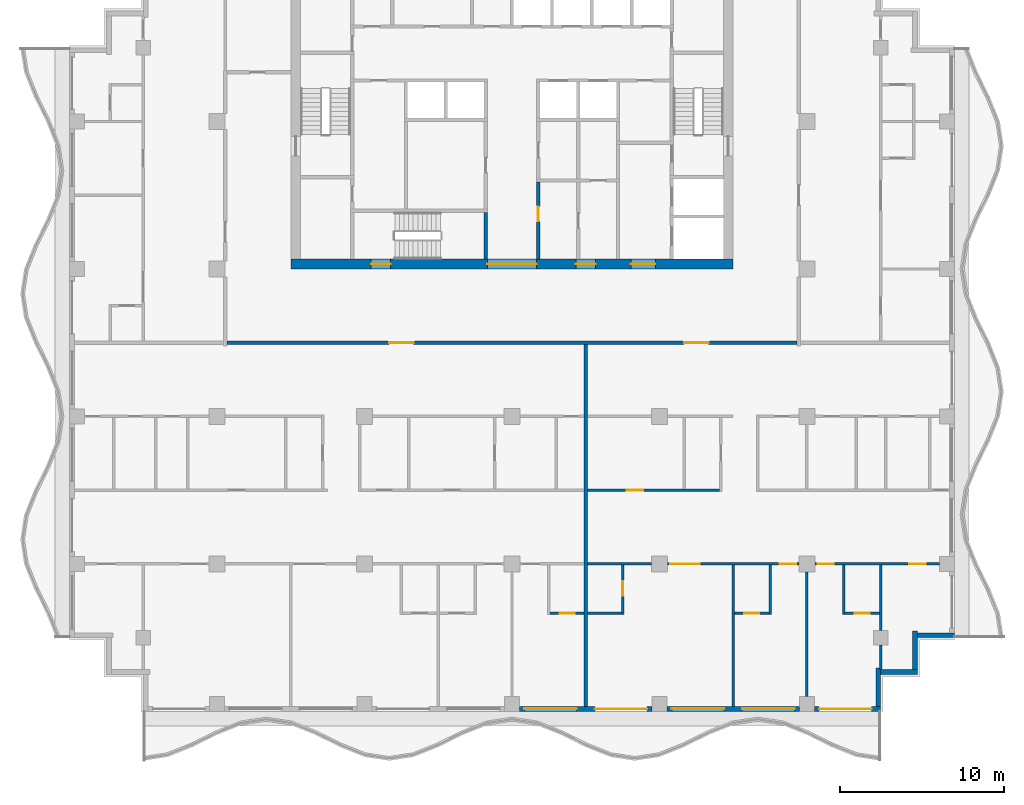
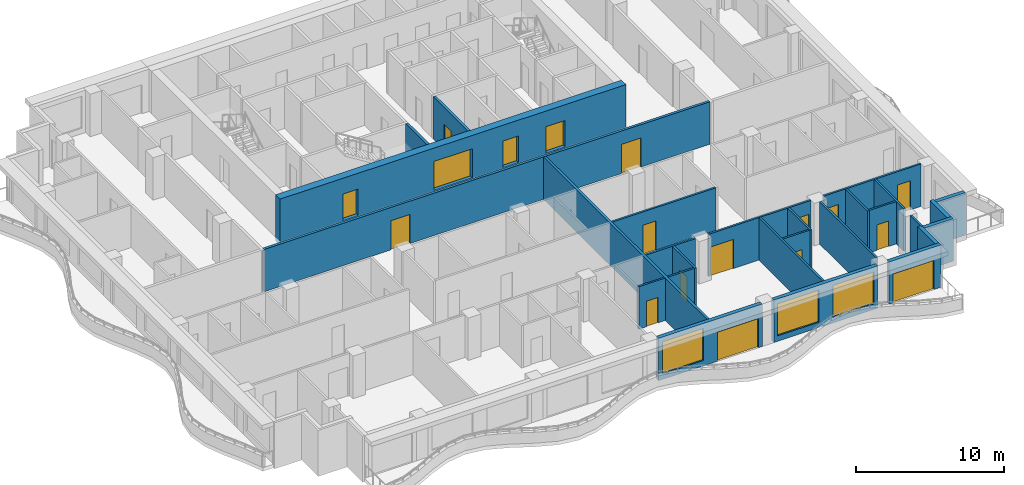
# One storey, part 3 of 11: 27 walls, 18 doors, 3 windows, 21 openings.
"""IFC4 building model written with IfcOpenShell, lengths in metres."""

from ifc_helpers import new_model, si_unit, direction, frame, frame_2d, origin, place, context, subcontext, project, spatial, rectangle, extrude, material, layer, layer_set, type_object, element, fill, save


model = new_model("IFC4")

# Units and contexts
model_context = context("Model", 3, precision=1e-05, world=origin(), true_north=direction((0.0, 1.0)))
body_context = subcontext(model_context, "Body", "Model", "MODEL_VIEW")
ifc_project = project(units=[si_unit("LENGTHUNIT", "METRE"), si_unit("AREAUNIT", "SQUARE_METRE"), si_unit("VOLUMEUNIT", "CUBIC_METRE"), si_unit("PLANEANGLEUNIT", "RADIAN"), si_unit("MASSUNIT", "GRAM", prefix="KILO")], contexts=[model_context])

# Site, building, storey
site_placement = place(None, origin())
site = spatial("IfcSite", under=ifc_project, at=site_placement, CompositionType="ELEMENT")
building_placement = place(site_placement, origin())
building = spatial("IfcBuilding", under=site, at=building_placement, Name="Orbiselva Terraces", CompositionType="ELEMENT")
storey_placement = place(building_placement, frame((0.0, 0.0, 250.2)))
storey = spatial("IfcBuildingStorey", under=building, at=storey_placement, Name="L63", CompositionType="ELEMENT", Elevation=250.2)

# Wall, openings, doors
ifc_material_1 = material(Name="Concrete C80/95", Category="concrete")
ifc_layer_1 = layer(ifc_material_1, 0.6)
ifc_layer_set_1 = layer_set([ifc_layer_1], Name="Concrete C80/95")
wall_type_1 = type_object("IfcWallType", Name="CORE WALL 600", PredefinedType="SHEAR", material=ifc_layer_set_1)
wall_1_placement = place(storey_placement, frame((-13.5, 4.8, -0.3), z_axis=(0.0, 0.0, 1.0), x_axis=(1.0, 0.0, 0.0)))
wall_1 = element("IfcWall", 1, at=wall_1_placement, inside=storey, type_object=wall_type_1, Name="Core wall L63 south", PredefinedType="SHEAR", context=body_context, shape_type="SweptSolid", body=[
    extrude(rectangle(XDim=27.0, YDim=0.6, at=frame_2d((13.5, 0.0))), origin(), (0.0, 0.0, 1.0), 3.8),
])
opening_1_placement = place(wall_1_placement, frame((12.0, 0.0, 0.3)))
opening_1 = element("IfcOpeningElement", 2, at=opening_1_placement, cuts=wall_1, Name="Opening DL3000", PredefinedType="OPENING", context=body_context, shape_type="SweptSolid", body=[
    extrude(rectangle(XDim=3.0, YDim=2.4, at=frame_2d((1.5, 1.2))), frame((0.0, 0.31, 0.0), z_axis=(0.0, -1.0, 0.0), x_axis=(1.0, 0.0, 0.0)), (0.0, 0.0, 1.0), 0.62),
])
opening_2_placement = place(wall_1_placement, frame((4.9, 0.0, 0.3)))
opening_2 = element("IfcOpeningElement", 3, at=opening_2_placement, cuts=wall_1, Name="Opening DS1200", PredefinedType="OPENING", context=body_context, shape_type="SweptSolid", body=[
    extrude(rectangle(XDim=1.2, YDim=2.2, at=frame_2d((0.6, 1.1))), frame((0.0, 0.31, 0.0), z_axis=(0.0, -1.0, 0.0), x_axis=(1.0, 0.0, 0.0)), (0.0, 0.0, 1.0), 0.62),
])
opening_3_placement = place(wall_1_placement, frame((20.75, 0.0, 0.3)))
opening_3 = element("IfcOpeningElement", 4, at=opening_3_placement, cuts=wall_1, Name="Opening DF1500", PredefinedType="OPENING", context=body_context, shape_type="SweptSolid", body=[
    extrude(rectangle(XDim=1.5, YDim=2.2, at=frame_2d((0.75, 1.1))), frame((0.0, 0.31, 0.0), z_axis=(0.0, -1.0, 0.0), x_axis=(1.0, 0.0, 0.0)), (0.0, 0.0, 1.0), 0.62),
])
opening_4_placement = place(wall_1_placement, frame((17.4, 0.0, 0.3)))
opening_4 = element("IfcOpeningElement", 5, at=opening_4_placement, cuts=wall_1, Name="Opening DV1200", PredefinedType="OPENING", context=body_context, shape_type="SweptSolid", body=[
    extrude(rectangle(XDim=1.2, YDim=2.2, at=frame_2d((0.6, 1.1))), frame((0.0, 0.31, 0.0), z_axis=(0.0, -1.0, 0.0), x_axis=(1.0, 0.0, 0.0)), (0.0, 0.0, 1.0), 0.62),
])
ifc_material_2 = material(Name="Steel fire door", Category="steel")
door_type_1 = type_object("IfcDoorType", Name="FFL DOOR 1500", OperationType="DOUBLE_DOOR_SINGLE_SWING", PredefinedType="DOOR", material=ifc_material_2)
door_1_placement = place(opening_3_placement, frame((1.5, 0.0, 0.0), z_axis=(0.0, 0.0, 1.0), x_axis=(-1.0, 0.0, 0.0)))
door_1 = element("IfcDoor", 6, at=door_1_placement, inside=storey, type_object=door_type_1, Name="L63 FIRE-FIGHTING LOBBY door", OperationType="DOUBLE_DOOR_SINGLE_SWING", OverallHeight=2.2, OverallWidth=1.5, PredefinedType="DOOR", context=body_context, shape_type="SweptSolid", body=[
    extrude(rectangle(XDim=1.5, YDim=2.2, at=frame_2d((0.75, 1.1))), frame((0.0, 0.025, 0.0), z_axis=(0.0, -1.0, 0.0), x_axis=(1.0, 0.0, 0.0)), (0.0, 0.0, 1.0), 0.05),
])
fill(opening_3, door_1)
door_type_2 = type_object("IfcDoorType", Name="LOBBY DOOR 3000", OperationType="DOUBLE_DOOR_SINGLE_SWING", PredefinedType="DOOR", material=ifc_material_2)
door_2_placement = place(opening_1_placement, frame((3.0, 0.0, 0.0), z_axis=(0.0, 0.0, 1.0), x_axis=(-1.0, 0.0, 0.0)))
door_2 = element("IfcDoor", 7, at=door_2_placement, inside=storey, type_object=door_type_2, Name="L63 LIFT LOBBY door", OperationType="DOUBLE_DOOR_SINGLE_SWING", OverallHeight=2.4, OverallWidth=3.0, PredefinedType="DOOR", context=body_context, shape_type="SweptSolid", body=[
    extrude(rectangle(XDim=3.0, YDim=2.4, at=frame_2d((1.5, 1.2))), frame((0.0, 0.025, 0.0), z_axis=(0.0, -1.0, 0.0), x_axis=(1.0, 0.0, 0.0)), (0.0, 0.0, 1.0), 0.05),
])
fill(opening_1, door_2)
door_type_3 = type_object("IfcDoorType", Name="SERVICE DOOR 1200", OperationType="NOTDEFINED", PredefinedType="DOOR", material=ifc_material_2)
door_3_placement = place(opening_4_placement, frame((1.2, 0.0, 0.0), z_axis=(0.0, 0.0, 1.0), x_axis=(-1.0, 0.0, 0.0)))
door_3 = element("IfcDoor", 8, at=door_3_placement, inside=storey, type_object=door_type_3, Name="L63 SPARE PARTS STORE door", OperationType="SINGLE_SWING_RIGHT", OverallHeight=2.2, OverallWidth=1.2, PredefinedType="DOOR", context=body_context, shape_type="SweptSolid", body=[
    extrude(rectangle(XDim=1.2, YDim=2.2, at=frame_2d((0.6, 1.1))), frame((0.0, 0.025, 0.0), z_axis=(0.0, -1.0, 0.0), x_axis=(1.0, 0.0, 0.0)), (0.0, 0.0, 1.0), 0.05),
])
fill(opening_4, door_3)
door_type_4 = type_object("IfcDoorType", Name="STAIR DOOR 1200", OperationType="NOTDEFINED", PredefinedType="DOOR", material=ifc_material_2)
door_4_placement = place(opening_2_placement, frame((1.2, 0.0, 0.0), z_axis=(0.0, 0.0, 1.0), x_axis=(-1.0, 0.0, 0.0)))
door_4 = element("IfcDoor", 9, at=door_4_placement, inside=storey, type_object=door_type_4, Name="L63 EXIT STAIR S3 door", OperationType="SINGLE_SWING_LEFT", OverallHeight=2.2, OverallWidth=1.2, PredefinedType="DOOR", context=body_context, shape_type="SweptSolid", body=[
    extrude(rectangle(XDim=1.2, YDim=2.2, at=frame_2d((0.6, 1.1))), frame((0.0, 0.025, 0.0), z_axis=(0.0, -1.0, 0.0), x_axis=(1.0, 0.0, 0.0)), (0.0, 0.0, 1.0), 0.05),
])
fill(opening_2, door_4)

# Wall
ifc_material_3 = material(Name="Concrete C60/75", Category="concrete")
ifc_layer_2 = layer(ifc_material_3, 0.2)
ifc_layer_set_2 = layer_set([ifc_layer_2], Name="Concrete C60/75")
wall_type_2 = type_object("IfcWallType", Name="CORE-WALL-SHEAR-200", PredefinedType="SHEAR", material=ifc_layer_set_2)
wall_2_placement = place(storey_placement, frame((-1.6, 5.1, 0.0), z_axis=(0.0, 0.0, 1.0), x_axis=(0.0, 1.0, 0.0)))
element("IfcWall", 10, at=wall_2_placement, inside=storey, type_object=wall_type_2, Name="L63 core wall 18", PredefinedType="SHEAR", context=body_context, shape_type="SweptSolid", body=[
    extrude(rectangle(XDim=2.85, YDim=0.2, at=frame_2d((1.425, 0.0))), origin(), (0.0, 0.0, 1.0), 3.5),
])

# Wall, opening, door
wall_3_placement = place(storey_placement, frame((1.6, 9.8, 0.0), z_axis=(0.0, 0.0, 1.0), x_axis=(0.0, -1.0, 0.0)))
wall_3 = element("IfcWall", 11, at=wall_3_placement, inside=storey, type_object=wall_type_2, Name="L63 core wall 22", PredefinedType="SHEAR", context=body_context, shape_type="SweptSolid", body=[
    extrude(rectangle(XDim=4.7, YDim=0.2, at=frame_2d((2.35, 0.0))), origin(), (0.0, 0.0, 1.0), 3.5),
])
opening_5_placement = place(wall_3_placement, frame((1.5, 0.0, 0.0)))
opening_5 = element("IfcOpeningElement", 12, at=opening_5_placement, cuts=wall_3, Name="Opening DR900", PredefinedType="OPENING", context=body_context, shape_type="SweptSolid", body=[
    extrude(rectangle(XDim=0.9, YDim=2.1, at=frame_2d((0.45, 1.05))), frame((0.0, 0.11, 0.0), z_axis=(0.0, -1.0, 0.0), x_axis=(1.0, 0.0, 0.0)), (0.0, 0.0, 1.0), 0.22),
])
door_type_5 = type_object("IfcDoorType", Name="ROOM DOOR 900", OperationType="NOTDEFINED", PredefinedType="DOOR", material=ifc_material_2)
door_5_placement = place(opening_5_placement, origin())
door_5 = element("IfcDoor", 13, at=door_5_placement, inside=storey, type_object=door_type_5, Name="L63 ELECTRICAL ROOM door", OperationType="SINGLE_SWING_LEFT", OverallHeight=2.1, OverallWidth=0.9, PredefinedType="DOOR", context=body_context, shape_type="SweptSolid", body=[
    extrude(rectangle(XDim=0.9, YDim=2.1, at=frame_2d((0.45, 1.05))), frame((0.0, 0.025, 0.0), z_axis=(0.0, -1.0, 0.0), x_axis=(1.0, 0.0, 0.0)), (0.0, 0.0, 1.0), 0.05),
])
fill(opening_5, door_5)

# Wall, openings, door, window
ifc_material_4 = material(Name="Terracotta cladding on masonry backing", Category="masonry")
ifc_layer_3 = layer(ifc_material_4, 0.3)
ifc_layer_set_3 = layer_set([ifc_layer_3], Name="Terracotta cladding on masonry backing")
wall_type_3 = type_object("IfcWallType", Name="ENV-WALL-TERRACOTTA-300", PredefinedType="SOLIDWALL", material=ifc_layer_set_3)
wall_4_placement = place(storey_placement, frame((8.55, -22.35, 0.0), z_axis=(0.0, 0.0, 1.0), x_axis=(-1.0, 0.0, 0.0)))
wall_4 = element("IfcWall", 14, at=wall_4_placement, inside=storey, type_object=wall_type_3, Name="Facade wall L63 S", PredefinedType="SOLIDWALL", context=body_context, shape_type="SweptSolid", body=[
    extrude(rectangle(XDim=8.1, YDim=0.3, at=frame_2d((4.05, 0.0))), origin(), (0.0, 0.0, 1.0), 3.5),
])
opening_6_placement = place(wall_4_placement, frame((4.6, 0.0, 0.45)))
opening_6 = element("IfcOpeningElement", 15, at=opening_6_placement, cuts=wall_4, Name="Opening WN17", PredefinedType="OPENING", context=body_context, shape_type="SweptSolid", body=[
    extrude(rectangle(XDim=3.2, YDim=2.65, at=frame_2d((1.6, 1.325))), frame((0.0, 0.16, 0.0), z_axis=(0.0, -1.0, 0.0), x_axis=(1.0, 0.0, 0.0)), (0.0, 0.0, 1.0), 0.32),
])
opening_7_placement = place(wall_4_placement, frame((0.3, 0.0, 0.0)))
opening_7 = element("IfcOpeningElement", 16, at=opening_7_placement, cuts=wall_4, Name="Opening Z5-B-E03", PredefinedType="OPENING", context=body_context, shape_type="SweptSolid", body=[
    extrude(rectangle(XDim=3.2, YDim=2.4, at=frame_2d((1.6, 1.2))), frame((0.0, 0.16, 0.0), z_axis=(0.0, -1.0, 0.0), x_axis=(1.0, 0.0, 0.0)), (0.0, 0.0, 1.0), 0.32),
])
ifc_material_5 = material(Name="Clear low-e glazing in aluminium frame", Category="aluminium")
door_type_6 = type_object("IfcDoorType", Name="BALCONY DOOR 3200 X 2400", OperationType="DOUBLE_DOOR_SLIDING", PredefinedType="DOOR", material=ifc_material_5)
door_6_placement = place(opening_7_placement, origin())
door_6 = element("IfcDoor", 17, at=door_6_placement, inside=storey, type_object=door_type_6, Name="Z5-B-E03", OperationType="SINGLE_SWING_LEFT", OverallHeight=2.4, OverallWidth=3.2, PredefinedType="DOOR", context=body_context, shape_type="SweptSolid", body=[
    extrude(rectangle(XDim=3.2, YDim=2.4, at=frame_2d((1.6, 1.2))), frame((0.0, 0.025, 0.0), z_axis=(0.0, -1.0, 0.0), x_axis=(1.0, 0.0, 0.0)), (0.0, 0.0, 1.0), 0.05),
])
fill(opening_7, door_6)
window_type = type_object("IfcWindowType", Name="WINDOW 3200 X 2650 S450", PartitioningType="TRIPLE_PANEL_VERTICAL", PredefinedType="WINDOW", material=ifc_material_5)
window_1_placement = place(opening_6_placement, origin())
window_1 = element("IfcWindow", 18, at=window_1_placement, inside=storey, type_object=window_type, Name="Window L63 S", OverallHeight=2.65, OverallWidth=3.2, PartitioningType="SINGLE_PANEL", PredefinedType="WINDOW", context=body_context, shape_type="SweptSolid", body=[
    extrude(rectangle(XDim=3.2, YDim=2.65, at=frame_2d((1.6, 1.325))), frame((0.0, 0.03, 0.0), z_axis=(0.0, -1.0, 0.0), x_axis=(1.0, 0.0, 0.0)), (0.0, 0.0, 1.0), 0.06),
])
fill(opening_6, window_1)

# Wall, openings, windows
wall_5_placement = place(storey_placement, frame((17.55, -22.35, 0.0), z_axis=(0.0, 0.0, 1.0), x_axis=(-1.0, 0.0, 0.0)))
wall_5 = element("IfcWall", 19, at=wall_5_placement, inside=storey, type_object=wall_type_3, Name="Facade wall L63 S", PredefinedType="SOLIDWALL", context=body_context, shape_type="SweptSolid", body=[
    extrude(rectangle(XDim=8.1, YDim=0.3, at=frame_2d((4.05, 0.0))), origin(), (0.0, 0.0, 1.0), 3.5),
])
opening_8_placement = place(wall_5_placement, frame((4.6, 0.0, 0.45)))
opening_8 = element("IfcOpeningElement", 20, at=opening_8_placement, cuts=wall_5, Name="Opening WN17", PredefinedType="OPENING", context=body_context, shape_type="SweptSolid", body=[
    extrude(rectangle(XDim=3.2, YDim=2.65, at=frame_2d((1.6, 1.325))), frame((0.0, 0.16, 0.0), z_axis=(0.0, -1.0, 0.0), x_axis=(1.0, 0.0, 0.0)), (0.0, 0.0, 1.0), 0.32),
])
opening_9_placement = place(wall_5_placement, frame((0.3, 0.0, 0.45)))
opening_9 = element("IfcOpeningElement", 21, at=opening_9_placement, cuts=wall_5, Name="Opening WN17", PredefinedType="OPENING", context=body_context, shape_type="SweptSolid", body=[
    extrude(rectangle(XDim=3.2, YDim=2.65, at=frame_2d((1.6, 1.325))), frame((0.0, 0.16, 0.0), z_axis=(0.0, -1.0, 0.0), x_axis=(1.0, 0.0, 0.0)), (0.0, 0.0, 1.0), 0.32),
])
window_2_placement = place(opening_8_placement, origin())
window_2 = element("IfcWindow", 22, at=window_2_placement, inside=storey, type_object=window_type, Name="Window L63 S", OverallHeight=2.65, OverallWidth=3.2, PartitioningType="SINGLE_PANEL", PredefinedType="WINDOW", context=body_context, shape_type="SweptSolid", body=[
    extrude(rectangle(XDim=3.2, YDim=2.65, at=frame_2d((1.6, 1.325))), frame((0.0, 0.03, 0.0), z_axis=(0.0, -1.0, 0.0), x_axis=(1.0, 0.0, 0.0)), (0.0, 0.0, 1.0), 0.06),
])
fill(opening_8, window_2)
window_3_placement = place(opening_9_placement, origin())
window_3 = element("IfcWindow", 23, at=window_3_placement, inside=storey, type_object=window_type, Name="Window L63 S", OverallHeight=2.65, OverallWidth=3.2, PartitioningType="SINGLE_PANEL", PredefinedType="WINDOW", context=body_context, shape_type="SweptSolid", body=[
    extrude(rectangle(XDim=3.2, YDim=2.65, at=frame_2d((1.6, 1.325))), frame((0.0, 0.03, 0.0), z_axis=(0.0, -1.0, 0.0), x_axis=(1.0, 0.0, 0.0)), (0.0, 0.0, 1.0), 0.06),
])
fill(opening_9, window_3)

# Wall, opening, door
wall_6_placement = place(storey_placement, frame((22.5, -22.35, 0.0), z_axis=(0.0, 0.0, 1.0), x_axis=(-1.0, 0.0, 0.0)))
wall_6 = element("IfcWall", 24, at=wall_6_placement, inside=storey, type_object=wall_type_3, Name="Facade wall L63 S", PredefinedType="SOLIDWALL", context=body_context, shape_type="SweptSolid", body=[
    extrude(rectangle(XDim=4.05, YDim=0.3, at=frame_2d((2.025, 0.0))), origin(), (0.0, 0.0, 1.0), 3.5),
])
opening_10_placement = place(wall_6_placement, frame((0.55, 0.0, 0.0)))
opening_10 = element("IfcOpeningElement", 25, at=opening_10_placement, cuts=wall_6, Name="Opening Z5-B-E04", PredefinedType="OPENING", context=body_context, shape_type="SweptSolid", body=[
    extrude(rectangle(XDim=3.2, YDim=2.4, at=frame_2d((1.6, 1.2))), frame((0.0, 0.16, 0.0), z_axis=(0.0, -1.0, 0.0), x_axis=(1.0, 0.0, 0.0)), (0.0, 0.0, 1.0), 0.32),
])
door_7_placement = place(opening_10_placement, origin())
door_7 = element("IfcDoor", 26, at=door_7_placement, inside=storey, type_object=door_type_6, Name="Z5-B-E04", OperationType="SINGLE_SWING_LEFT", OverallHeight=2.4, OverallWidth=3.2, PredefinedType="DOOR", context=body_context, shape_type="SweptSolid", body=[
    extrude(rectangle(XDim=3.2, YDim=2.4, at=frame_2d((1.6, 1.2))), frame((0.0, 0.025, 0.0), z_axis=(0.0, -1.0, 0.0), x_axis=(1.0, 0.0, 0.0)), (0.0, 0.0, 1.0), 0.05),
])
fill(opening_10, door_7)

# Walls
wall_7_placement = place(storey_placement, frame((22.35, -19.85, 0.0), z_axis=(0.0, 0.0, 1.0), x_axis=(0.0, -1.0, 0.0)))
element("IfcWall", 27, at=wall_7_placement, inside=storey, type_object=wall_type_3, Name="Facade wall L63 STEP", PredefinedType="SOLIDWALL", context=body_context, shape_type="SweptSolid", body=[
    extrude(rectangle(XDim=2.35, YDim=0.3, at=frame_2d((1.175, 0.0))), origin(), (0.0, 0.0, 1.0), 3.5),
])
wall_8_placement = place(storey_placement, frame((24.75, -20.1, 0.0), z_axis=(0.0, 0.0, 1.0), x_axis=(-1.0, 0.0, 0.0)))
element("IfcWall", 28, at=wall_8_placement, inside=storey, type_object=wall_type_3, Name="Facade wall L63 STEP", PredefinedType="SOLIDWALL", context=body_context, shape_type="SweptSolid", body=[
    extrude(rectangle(XDim=2.25, YDim=0.3, at=frame_2d((1.125, 0.0))), origin(), (0.0, 0.0, 1.0), 3.5),
])
wall_9_placement = place(storey_placement, frame((24.6, -17.6, 0.0), z_axis=(0.0, 0.0, 1.0), x_axis=(0.0, -1.0, 0.0)))
element("IfcWall", 29, at=wall_9_placement, inside=storey, type_object=wall_type_3, Name="Facade wall L63 STEP", PredefinedType="SOLIDWALL", context=body_context, shape_type="SweptSolid", body=[
    extrude(rectangle(XDim=2.35, YDim=0.3, at=frame_2d((1.175, 0.0))), origin(), (0.0, 0.0, 1.0), 3.5),
])
wall_10_placement = place(storey_placement, frame((27.0, -17.85, 0.0), z_axis=(0.0, 0.0, 1.0), x_axis=(-1.0, 0.0, 0.0)))
element("IfcWall", 30, at=wall_10_placement, inside=storey, type_object=wall_type_3, Name="Facade wall L63 STEP", PredefinedType="SOLIDWALL", context=body_context, shape_type="SweptSolid", body=[
    extrude(rectangle(XDim=2.25, YDim=0.3, at=frame_2d((1.125, 0.0))), origin(), (0.0, 0.0, 1.0), 3.5),
])

# Wall, openings, doors
ifc_material_6 = material(Name="Plasterboard on steel stud partition", Category="steel")
ifc_layer_4 = layer(ifc_material_6, 0.2)
ifc_layer_set_4 = layer_set([ifc_layer_4], Name="Plasterboard on steel stud partition")
wall_type_4 = type_object("IfcWallType", Name="UNIT-ENTRANCE-WALL-200", PredefinedType="PARTITIONING", material=ifc_layer_set_4)
wall_11_placement = place(storey_placement, frame((17.4, 0.0, 0.0), z_axis=(0.0, 0.0, 1.0), x_axis=(-1.0, 0.0, 0.0)))
wall_11 = element("IfcWall", 31, at=wall_11_placement, inside=storey, type_object=wall_type_4, Name="PARTITION L63-026", PredefinedType="PARTITIONING", context=body_context, shape_type="SweptSolid", body=[
    extrude(rectangle(XDim=34.8, YDim=0.2, at=frame_2d((17.4, 0.0))), origin(), (0.0, 0.0, 1.0), 3.5),
])
opening_11_placement = place(wall_11_placement, frame((23.4, 0.0, 0.0)))
opening_11 = element("IfcOpeningElement", 32, at=opening_11_placement, cuts=wall_11, Name="Opening Z5-B-14", PredefinedType="OPENING", context=body_context, shape_type="SweptSolid", body=[
    extrude(rectangle(XDim=1.5, YDim=2.4, at=frame_2d((0.75, 1.2))), frame((0.0, 0.11, 0.0), z_axis=(0.0, -1.0, 0.0), x_axis=(1.0, 0.0, 0.0)), (0.0, 0.0, 1.0), 0.22),
])
opening_12_placement = place(wall_11_placement, frame((5.4, 0.0, 0.0)))
opening_12 = element("IfcOpeningElement", 33, at=opening_12_placement, cuts=wall_11, Name="Opening Z5-B-32", PredefinedType="OPENING", context=body_context, shape_type="SweptSolid", body=[
    extrude(rectangle(XDim=1.5, YDim=2.4, at=frame_2d((0.75, 1.2))), frame((0.0, 0.11, 0.0), z_axis=(0.0, -1.0, 0.0), x_axis=(1.0, 0.0, 0.0)), (0.0, 0.0, 1.0), 0.22),
])
ifc_material_7 = material(Name="Painted timber door leaf", Category="wood")
door_type_7 = type_object("IfcDoorType", Name="ENTRANCE DOUBLE DOOR 1500", OperationType="NOTDEFINED", PredefinedType="DOOR", material=ifc_material_7)
door_8_placement = place(opening_11_placement, origin())
door_8 = element("IfcDoor", 34, at=door_8_placement, inside=storey, type_object=door_type_7, Name="Z5-B-14", OperationType="DOUBLE_DOOR_SINGLE_SWING", OverallHeight=2.4, OverallWidth=1.5, PredefinedType="DOOR", context=body_context, shape_type="SweptSolid", body=[
    extrude(rectangle(XDim=1.5, YDim=2.4, at=frame_2d((0.75, 1.2))), frame((0.0, 0.025, 0.0), z_axis=(0.0, -1.0, 0.0), x_axis=(1.0, 0.0, 0.0)), (0.0, 0.0, 1.0), 0.05),
])
fill(opening_11, door_8)
door_9_placement = place(opening_12_placement, origin())
door_9 = element("IfcDoor", 35, at=door_9_placement, inside=storey, type_object=door_type_7, Name="Z5-B-32", OperationType="DOUBLE_DOOR_SINGLE_SWING", OverallHeight=2.4, OverallWidth=1.5, PredefinedType="DOOR", context=body_context, shape_type="SweptSolid", body=[
    extrude(rectangle(XDim=1.5, YDim=2.4, at=frame_2d((0.75, 1.2))), frame((0.0, 0.025, 0.0), z_axis=(0.0, -1.0, 0.0), x_axis=(1.0, 0.0, 0.0)), (0.0, 0.0, 1.0), 0.05),
])
fill(opening_12, door_9)

# Wall, opening, door
ifc_layer_5 = layer(ifc_material_6, 0.15)
ifc_layer_set_5 = layer_set([ifc_layer_5], Name="Plasterboard on steel stud partition")
wall_type_5 = type_object("IfcWallType", Name="UNIT-PARTITION-150", PredefinedType="PARTITIONING", material=ifc_layer_set_5)
wall_12_placement = place(storey_placement, frame((2.325, -16.5, 0.0), z_axis=(0.0, 0.0, 1.0), x_axis=(1.0, 0.0, 0.0)))
wall_12 = element("IfcWall", 36, at=wall_12_placement, inside=storey, type_object=wall_type_5, Name="PARTITION L63-003", PredefinedType="PARTITIONING", context=body_context, shape_type="SweptSolid", body=[
    extrude(rectangle(XDim=2.075, YDim=0.15, at=frame_2d((1.0375, 0.0))), origin(), (0.0, 0.0, 1.0), 3.5),
])
opening_13_placement = place(wall_12_placement, frame((0.6, 0.0, 0.0)))
opening_13 = element("IfcOpeningElement", 37, at=opening_13_placement, cuts=wall_12, Name="Opening Z5-B-31", PredefinedType="OPENING", context=body_context, shape_type="SweptSolid", body=[
    extrude(rectangle(XDim=0.9, YDim=2.1, at=frame_2d((0.45, 1.05))), frame((0.0, 0.085, 0.0), z_axis=(0.0, -1.0, 0.0), x_axis=(1.0, 0.0, 0.0)), (0.0, 0.0, 1.0), 0.17),
])
door_type_8 = type_object("IfcDoorType", Name="BATH DOOR 900", OperationType="NOTDEFINED", PredefinedType="DOOR", material=ifc_material_7)
door_10_placement = place(opening_13_placement, origin())
door_10 = element("IfcDoor", 38, at=door_10_placement, inside=storey, type_object=door_type_8, Name="Z5-B-31", OperationType="SINGLE_SWING_RIGHT", OverallHeight=2.1, OverallWidth=0.9, PredefinedType="DOOR", context=body_context, shape_type="SweptSolid", body=[
    extrude(rectangle(XDim=0.9, YDim=2.1, at=frame_2d((0.45, 1.05))), frame((0.0, 0.025, 0.0), z_axis=(0.0, -1.0, 0.0), x_axis=(1.0, 0.0, 0.0)), (0.0, 0.0, 1.0), 0.05),
])
fill(opening_13, door_10)

# Wall
wall_13_placement = place(storey_placement, frame((4.6, -16.5, 0.0), z_axis=(0.0, 0.0, 1.0), x_axis=(1.0, 0.0, 0.0)))
element("IfcWall", 39, at=wall_13_placement, inside=storey, type_object=wall_type_5, Name="PARTITION L63-004", PredefinedType="PARTITIONING", context=body_context, shape_type="SweptSolid", body=[
    extrude(rectangle(XDim=2.075, YDim=0.15, at=frame_2d((1.0375, 0.0))), origin(), (0.0, 0.0, 1.0), 3.5),
])

# Wall, opening, door
wall_14_placement = place(storey_placement, frame((13.575, -16.5, 0.0), z_axis=(0.0, 0.0, 1.0), x_axis=(1.0, 0.0, 0.0)))
wall_14 = element("IfcWall", 40, at=wall_14_placement, inside=storey, type_object=wall_type_5, Name="PARTITION L63-005", PredefinedType="PARTITIONING", context=body_context, shape_type="SweptSolid", body=[
    extrude(rectangle(XDim=2.1, YDim=0.15, at=frame_2d((1.05, 0.0))), origin(), (0.0, 0.0, 1.0), 3.5),
])
opening_14_placement = place(wall_14_placement, frame((0.6, 0.0, 0.0)))
opening_14 = element("IfcOpeningElement", 41, at=opening_14_placement, cuts=wall_14, Name="Opening Z5-B-43", PredefinedType="OPENING", context=body_context, shape_type="SweptSolid", body=[
    extrude(rectangle(XDim=0.9, YDim=2.1, at=frame_2d((0.45, 1.05))), frame((0.0, 0.085, 0.0), z_axis=(0.0, -1.0, 0.0), x_axis=(1.0, 0.0, 0.0)), (0.0, 0.0, 1.0), 0.17),
])
door_11_placement = place(opening_14_placement, origin())
door_11 = element("IfcDoor", 42, at=door_11_placement, inside=storey, type_object=door_type_8, Name="Z5-B-43", OperationType="SINGLE_SWING_LEFT", OverallHeight=2.1, OverallWidth=0.9, PredefinedType="DOOR", context=body_context, shape_type="SweptSolid", body=[
    extrude(rectangle(XDim=0.9, YDim=2.1, at=frame_2d((0.45, 1.05))), frame((0.0, 0.025, 0.0), z_axis=(0.0, -1.0, 0.0), x_axis=(1.0, 0.0, 0.0)), (0.0, 0.0, 1.0), 0.05),
])
fill(opening_14, door_11)

wall_15_placement = place(storey_placement, frame((20.325, -16.5, 0.0), z_axis=(0.0, 0.0, 1.0), x_axis=(1.0, 0.0, 0.0)))
wall_15 = element("IfcWall", 43, at=wall_15_placement, inside=storey, type_object=wall_type_5, Name="PARTITION L63-006", PredefinedType="PARTITIONING", context=body_context, shape_type="SweptSolid", body=[
    extrude(rectangle(XDim=2.1, YDim=0.15, at=frame_2d((1.05, 0.0))), origin(), (0.0, 0.0, 1.0), 3.5),
])
opening_15_placement = place(wall_15_placement, frame((0.6, 0.0, 0.0)))
opening_15 = element("IfcOpeningElement", 44, at=opening_15_placement, cuts=wall_15, Name="Opening Z5-B-45", PredefinedType="OPENING", context=body_context, shape_type="SweptSolid", body=[
    extrude(rectangle(XDim=0.9, YDim=2.1, at=frame_2d((0.45, 1.05))), frame((0.0, 0.085, 0.0), z_axis=(0.0, -1.0, 0.0), x_axis=(1.0, 0.0, 0.0)), (0.0, 0.0, 1.0), 0.17),
])
door_12_placement = place(opening_15_placement, origin())
door_12 = element("IfcDoor", 45, at=door_12_placement, inside=storey, type_object=door_type_8, Name="Z5-B-45", OperationType="SINGLE_SWING_LEFT", OverallHeight=2.1, OverallWidth=0.9, PredefinedType="DOOR", context=body_context, shape_type="SweptSolid", body=[
    extrude(rectangle(XDim=0.9, YDim=2.1, at=frame_2d((0.45, 1.05))), frame((0.0, 0.025, 0.0), z_axis=(0.0, -1.0, 0.0), x_axis=(1.0, 0.0, 0.0)), (0.0, 0.0, 1.0), 0.05),
])
fill(opening_15, door_12)

# Wall
wall_16_placement = place(storey_placement, frame((4.6, -13.5, 0.0), z_axis=(0.0, 0.0, 1.0), x_axis=(1.0, 0.0, 0.0)))
element("IfcWall", 46, at=wall_16_placement, inside=storey, type_object=wall_type_5, Name="PARTITION L63-011", PredefinedType="PARTITIONING", context=body_context, shape_type="SweptSolid", body=[
    extrude(rectangle(XDim=3.9, YDim=0.15, at=frame_2d((1.95, 0.0))), origin(), (0.0, 0.0, 1.0), 3.5),
])

# Wall, openings, doors
wall_17_placement = place(storey_placement, frame((17.5, -13.5, 0.0), z_axis=(0.0, 0.0, 1.0), x_axis=(-1.0, 0.0, 0.0)))
wall_17 = element("IfcWall", 47, at=wall_17_placement, inside=storey, type_object=wall_type_5, Name="PARTITION L63-012", PredefinedType="PARTITIONING", context=body_context, shape_type="SweptSolid", body=[
    extrude(rectangle(XDim=8.0, YDim=0.15, at=frame_2d((4.0, 0.0))), origin(), (0.0, 0.0, 1.0), 3.5),
])
opening_16_placement = place(wall_17_placement, frame((6.05, 0.0, 0.0)))
opening_16 = element("IfcOpeningElement", 48, at=opening_16_placement, cuts=wall_17, Name="Opening Z5-B-40", PredefinedType="OPENING", context=body_context, shape_type="SweptSolid", body=[
    extrude(rectangle(XDim=1.8, YDim=2.4, at=frame_2d((0.9, 1.2))), frame((0.0, 0.085, 0.0), z_axis=(0.0, -1.0, 0.0), x_axis=(1.0, 0.0, 0.0)), (0.0, 0.0, 1.0), 0.17),
])
opening_17_placement = place(wall_17_placement, frame((0.15, 0.0, 0.0)))
opening_17 = element("IfcOpeningElement", 49, at=opening_17_placement, cuts=wall_17, Name="Opening Z5-B-42", PredefinedType="OPENING", context=body_context, shape_type="SweptSolid", body=[
    extrude(rectangle(XDim=1.0, YDim=2.4, at=frame_2d((0.5, 1.2))), frame((0.0, 0.085, 0.0), z_axis=(0.0, -1.0, 0.0), x_axis=(1.0, 0.0, 0.0)), (0.0, 0.0, 1.0), 0.17),
])
door_type_9 = type_object("IfcDoorType", Name="DOUBLE DOOR 1800", OperationType="NOTDEFINED", PredefinedType="DOOR", material=ifc_material_7)
door_13_placement = place(opening_16_placement, origin())
door_13 = element("IfcDoor", 50, at=door_13_placement, inside=storey, type_object=door_type_9, Name="Z5-B-40", OperationType="DOUBLE_DOOR_SINGLE_SWING", OverallHeight=2.4, OverallWidth=1.8, PredefinedType="DOOR", context=body_context, shape_type="SweptSolid", body=[
    extrude(rectangle(XDim=1.8, YDim=2.4, at=frame_2d((0.9, 1.2))), frame((0.0, 0.025, 0.0), z_axis=(0.0, -1.0, 0.0), x_axis=(1.0, 0.0, 0.0)), (0.0, 0.0, 1.0), 0.05),
])
fill(opening_16, door_13)
door_type_10 = type_object("IfcDoorType", Name="ROOM DOOR 1000", OperationType="NOTDEFINED", PredefinedType="DOOR", material=ifc_material_7)
door_14_placement = place(opening_17_placement, origin())
door_14 = element("IfcDoor", 51, at=door_14_placement, inside=storey, type_object=door_type_10, Name="Z5-B-42", OperationType="SINGLE_SWING_LEFT", OverallHeight=2.4, OverallWidth=1.0, PredefinedType="DOOR", context=body_context, shape_type="SweptSolid", body=[
    extrude(rectangle(XDim=1.0, YDim=2.4, at=frame_2d((0.5, 1.2))), frame((0.0, 0.025, 0.0), z_axis=(0.0, -1.0, 0.0), x_axis=(1.0, 0.0, 0.0)), (0.0, 0.0, 1.0), 0.05),
])
fill(opening_17, door_14)

wall_18_placement = place(storey_placement, frame((26.1, -13.5, 0.0), z_axis=(0.0, 0.0, 1.0), x_axis=(-1.0, 0.0, 0.0)))
wall_18 = element("IfcWall", 52, at=wall_18_placement, inside=storey, type_object=wall_type_5, Name="PARTITION L63-013", PredefinedType="PARTITIONING", context=body_context, shape_type="SweptSolid", body=[
    extrude(rectangle(XDim=7.6, YDim=0.15, at=frame_2d((3.8, 0.0))), origin(), (0.0, 0.0, 1.0), 3.5),
])
opening_18_placement = place(wall_18_placement, frame((6.45, 0.0, 0.0)))
opening_18 = element("IfcOpeningElement", 53, at=opening_18_placement, cuts=wall_18, Name="Opening Z5-B-44", PredefinedType="OPENING", context=body_context, shape_type="SweptSolid", body=[
    extrude(rectangle(XDim=1.0, YDim=2.4, at=frame_2d((0.5, 1.2))), frame((0.0, 0.085, 0.0), z_axis=(0.0, -1.0, 0.0), x_axis=(1.0, 0.0, 0.0)), (0.0, 0.0, 1.0), 0.17),
])
opening_19_placement = place(wall_18_placement, frame((0.85, 0.0, 0.0)))
opening_19 = element("IfcOpeningElement", 54, at=opening_19_placement, cuts=wall_18, Name="Opening Z5-B-46", PredefinedType="OPENING", context=body_context, shape_type="SweptSolid", body=[
    extrude(rectangle(XDim=1.0, YDim=2.4, at=frame_2d((0.5, 1.2))), frame((0.0, 0.085, 0.0), z_axis=(0.0, -1.0, 0.0), x_axis=(1.0, 0.0, 0.0)), (0.0, 0.0, 1.0), 0.17),
])
door_15_placement = place(opening_18_placement, origin())
door_15 = element("IfcDoor", 55, at=door_15_placement, inside=storey, type_object=door_type_10, Name="Z5-B-44", OperationType="SINGLE_SWING_RIGHT", OverallHeight=2.4, OverallWidth=1.0, PredefinedType="DOOR", context=body_context, shape_type="SweptSolid", body=[
    extrude(rectangle(XDim=1.0, YDim=2.4, at=frame_2d((0.5, 1.2))), frame((0.0, 0.025, 0.0), z_axis=(0.0, -1.0, 0.0), x_axis=(1.0, 0.0, 0.0)), (0.0, 0.0, 1.0), 0.05),
])
fill(opening_18, door_15)
door_16_placement = place(opening_19_placement, origin())
door_16 = element("IfcDoor", 56, at=door_16_placement, inside=storey, type_object=door_type_10, Name="Z5-B-46", OperationType="SINGLE_SWING_LEFT", OverallHeight=2.4, OverallWidth=1.0, PredefinedType="DOOR", context=body_context, shape_type="SweptSolid", body=[
    extrude(rectangle(XDim=1.0, YDim=2.4, at=frame_2d((0.5, 1.2))), frame((0.0, 0.025, 0.0), z_axis=(0.0, -1.0, 0.0), x_axis=(1.0, 0.0, 0.0)), (0.0, 0.0, 1.0), 0.05),
])
fill(opening_19, door_16)

# Wall, opening, door
wall_19_placement = place(storey_placement, frame((4.6, -9.0, 0.0), z_axis=(0.0, 0.0, 1.0), x_axis=(1.0, 0.0, 0.0)))
wall_19 = element("IfcWall", 57, at=wall_19_placement, inside=storey, type_object=wall_type_5, Name="PARTITION L63-016", PredefinedType="PARTITIONING", context=body_context, shape_type="SweptSolid", body=[
    extrude(rectangle(XDim=8.075, YDim=0.15, at=frame_2d((4.0375, 0.0))), origin(), (0.0, 0.0, 1.0), 3.5),
])
opening_20_placement = place(wall_19_placement, frame((2.4, 0.0, 0.0)))
opening_20 = element("IfcOpeningElement", 58, at=opening_20_placement, cuts=wall_19, Name="Opening Z5-B-33", PredefinedType="OPENING", context=body_context, shape_type="SweptSolid", body=[
    extrude(rectangle(XDim=1.0, YDim=2.4, at=frame_2d((0.5, 1.2))), frame((0.0, 0.085, 0.0), z_axis=(0.0, -1.0, 0.0), x_axis=(1.0, 0.0, 0.0)), (0.0, 0.0, 1.0), 0.17),
])
door_17_placement = place(opening_20_placement, origin())
door_17 = element("IfcDoor", 59, at=door_17_placement, inside=storey, type_object=door_type_10, Name="Z5-B-33", OperationType="SINGLE_SWING_LEFT", OverallHeight=2.4, OverallWidth=1.0, PredefinedType="DOOR", context=body_context, shape_type="SweptSolid", body=[
    extrude(rectangle(XDim=1.0, YDim=2.4, at=frame_2d((0.5, 1.2))), frame((0.0, 0.025, 0.0), z_axis=(0.0, -1.0, 0.0), x_axis=(1.0, 0.0, 0.0)), (0.0, 0.0, 1.0), 0.05),
])
fill(opening_20, door_17)

wall_20_placement = place(storey_placement, frame((6.75, -16.575, 0.0), z_axis=(0.0, 0.0, 1.0), x_axis=(0.0, 1.0, 0.0)))
wall_20 = element("IfcWall", 60, at=wall_20_placement, inside=storey, type_object=wall_type_5, Name="PARTITION L63-065", PredefinedType="PARTITIONING", context=body_context, shape_type="SweptSolid", body=[
    extrude(rectangle(XDim=3.0, YDim=0.15, at=frame_2d((1.5, 0.0))), origin(), (0.0, 0.0, 1.0), 3.5),
])
opening_21_placement = place(wall_20_placement, frame((1.125, 0.0, 0.0)))
opening_21 = element("IfcOpeningElement", 61, at=opening_21_placement, cuts=wall_20, Name="Opening Z5-B-41", PredefinedType="OPENING", context=body_context, shape_type="SweptSolid", body=[
    extrude(rectangle(XDim=0.9, YDim=2.1, at=frame_2d((0.45, 1.05))), frame((0.0, 0.085, 0.0), z_axis=(0.0, -1.0, 0.0), x_axis=(1.0, 0.0, 0.0)), (0.0, 0.0, 1.0), 0.17),
])
door_18_placement = place(opening_21_placement, origin())
door_18 = element("IfcDoor", 62, at=door_18_placement, inside=storey, type_object=door_type_8, Name="Z5-B-41", OperationType="SINGLE_SWING_RIGHT", OverallHeight=2.1, OverallWidth=0.9, PredefinedType="DOOR", context=body_context, shape_type="SweptSolid", body=[
    extrude(rectangle(XDim=0.9, YDim=2.1, at=frame_2d((0.45, 1.05))), frame((0.0, 0.025, 0.0), z_axis=(0.0, -1.0, 0.0), x_axis=(1.0, 0.0, 0.0)), (0.0, 0.0, 1.0), 0.05),
])
fill(opening_21, door_18)

# Walls
wall_21_placement = place(storey_placement, frame((13.5, -22.2, 0.0), z_axis=(0.0, 0.0, 1.0), x_axis=(0.0, 1.0, 0.0)))
element("IfcWall", 63, at=wall_21_placement, inside=storey, type_object=wall_type_5, Name="PARTITION L63-068", PredefinedType="PARTITIONING", context=body_context, shape_type="SweptSolid", body=[
    extrude(rectangle(XDim=8.625, YDim=0.15, at=frame_2d((4.3125, 0.0))), origin(), (0.0, 0.0, 1.0), 3.5),
])
wall_22_placement = place(storey_placement, frame((15.75, -16.575, 0.0), z_axis=(0.0, 0.0, 1.0), x_axis=(0.0, 1.0, 0.0)))
element("IfcWall", 64, at=wall_22_placement, inside=storey, type_object=wall_type_5, Name="PARTITION L63-070", PredefinedType="PARTITIONING", context=body_context, shape_type="SweptSolid", body=[
    extrude(rectangle(XDim=3.0, YDim=0.15, at=frame_2d((1.5, 0.0))), origin(), (0.0, 0.0, 1.0), 3.5),
])
wall_23_placement = place(storey_placement, frame((18.0, -21.6, 0.0), z_axis=(0.0, 0.0, 1.0), x_axis=(0.0, 1.0, 0.0)))
element("IfcWall", 65, at=wall_23_placement, inside=storey, type_object=wall_type_5, Name="PARTITION L63-074", PredefinedType="PARTITIONING", context=body_context, shape_type="SweptSolid", body=[
    extrude(rectangle(XDim=7.6, YDim=0.15, at=frame_2d((3.8, 0.0))), origin(), (0.0, 0.0, 1.0), 3.5),
])
wall_24_placement = place(storey_placement, frame((20.25, -16.575, 0.0), z_axis=(0.0, 0.0, 1.0), x_axis=(0.0, 1.0, 0.0)))
element("IfcWall", 66, at=wall_24_placement, inside=storey, type_object=wall_type_5, Name="PARTITION L63-076", PredefinedType="PARTITIONING", context=body_context, shape_type="SweptSolid", body=[
    extrude(rectangle(XDim=3.0, YDim=0.15, at=frame_2d((1.5, 0.0))), origin(), (0.0, 0.0, 1.0), 3.5),
])
wall_25_placement = place(storey_placement, frame((22.5, -19.95, 0.0), z_axis=(0.0, 0.0, 1.0), x_axis=(0.0, 1.0, 0.0)))
element("IfcWall", 67, at=wall_25_placement, inside=storey, type_object=wall_type_5, Name="PARTITION L63-078", PredefinedType="PARTITIONING", context=body_context, shape_type="SweptSolid", body=[
    extrude(rectangle(XDim=1.5, YDim=0.15, at=frame_2d((0.75, 0.0))), origin(), (0.0, 0.0, 1.0), 3.5),
])
wall_26_placement = place(storey_placement, frame((22.5, -17.55, 0.0), z_axis=(0.0, 0.0, 1.0), x_axis=(0.0, 1.0, 0.0)))
element("IfcWall", 68, at=wall_26_placement, inside=storey, type_object=wall_type_5, Name="PARTITION L63-079", PredefinedType="PARTITIONING", context=body_context, shape_type="SweptSolid", body=[
    extrude(rectangle(XDim=3.975, YDim=0.15, at=frame_2d((1.9875, 0.0))), origin(), (0.0, 0.0, 1.0), 3.5),
])
ifc_layer_6 = layer(ifc_material_6, 0.2)
ifc_layer_set_6 = layer_set([ifc_layer_6], Name="Plasterboard on steel stud partition")
wall_type_6 = type_object("IfcWallType", Name="UNIT-PARTY-WALL-200", PredefinedType="PARTITIONING", material=ifc_layer_set_6)
wall_27_placement = place(storey_placement, frame((4.5, -22.2, 0.0), z_axis=(0.0, 0.0, 1.0), x_axis=(0.0, 1.0, 0.0)))
element("IfcWall", 69, at=wall_27_placement, inside=storey, type_object=wall_type_6, Name="PARTITION L63-064", PredefinedType="PARTITIONING", context=body_context, shape_type="SweptSolid", body=[
    extrude(rectangle(XDim=22.1, YDim=0.2, at=frame_2d((11.05, 0.0))), origin(), (0.0, 0.0, 1.0), 3.5),
])

save(model, "model.ifc")
